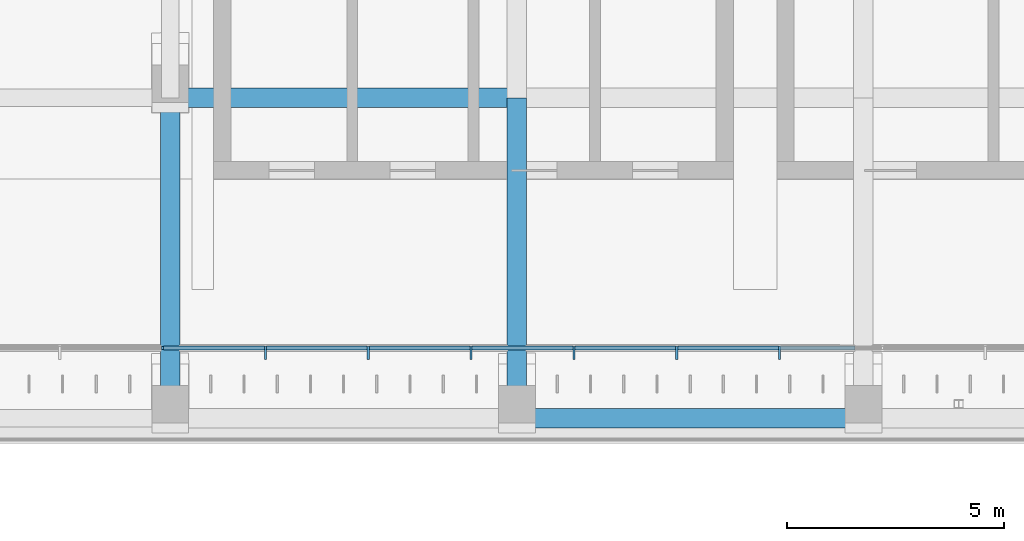
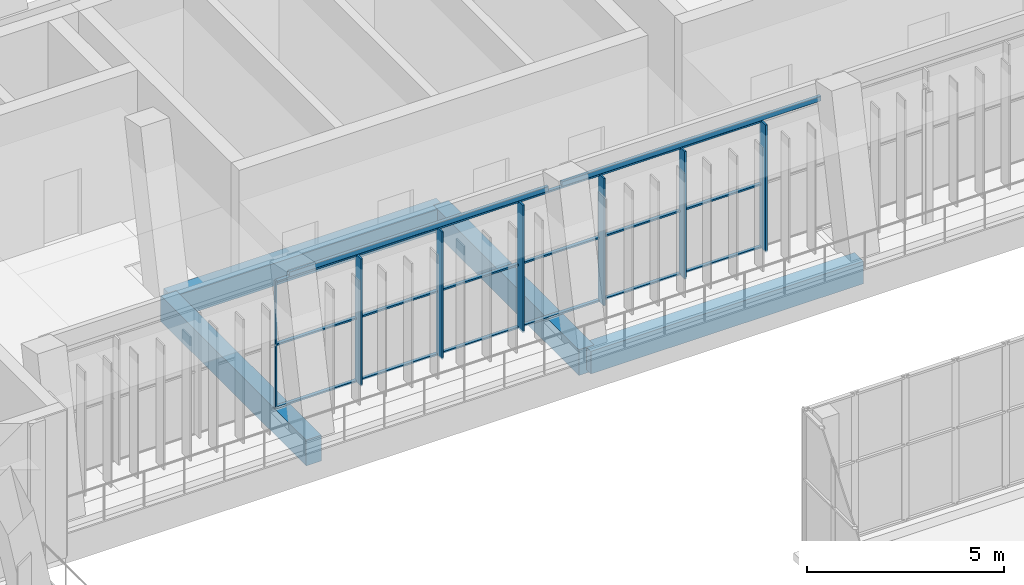
# One storey, part 34 of 92: 25 members, 6 beams, 1 element without a shape of its own.
"""IFC4 building model written with IfcOpenShell, lengths in metres."""

from ifc_helpers import new_model, si_unit, direction, frame, origin, origin_2d, place, context, subcontext, project, spatial, rectangle, hollow_rectangle, extrude, material, material_profile, profile_set, type_object, element, aggregate, save


model = new_model("IFC4")

# Units and contexts
model_context = context("Model", 3, precision=1e-05, world=origin(), true_north=direction((0.0, 1.0)))
body_context = subcontext(model_context, "Body", "Model", "MODEL_VIEW")
ifc_project = project(units=[si_unit("LENGTHUNIT", "METRE"), si_unit("AREAUNIT", "SQUARE_METRE"), si_unit("VOLUMEUNIT", "CUBIC_METRE"), si_unit("PLANEANGLEUNIT", "RADIAN"), si_unit("MASSUNIT", "GRAM", prefix="KILO")], contexts=[model_context])

# Site, building, storey
site_placement = place(None, origin())
site = spatial("IfcSite", under=ifc_project, at=site_placement, CompositionType="ELEMENT")
building_placement = place(site_placement, origin())
building = spatial("IfcBuilding", under=site, at=building_placement, Name="Lantern Court Media Centre", CompositionType="ELEMENT")
storey_placement = place(building_placement, frame((0.0, 0.0, 4.800048828125)))
storey = spatial("IfcBuildingStorey", under=building, at=storey_placement, Name="L01", CompositionType="ELEMENT", Elevation=4.800048828125)

# Curtain wall, members
ifc_material_1 = material(Name="Curtain wall bay 2400")
curtain_wall_type = type_object("IfcCurtainWallType", Name="Curtain wall bay 2400", PredefinedType="NOTDEFINED", material=ifc_material_1)
curtain_wall_placement = place(storey_placement, origin())
curtain_wall = element("IfcCurtainWall", 1, at=curtain_wall_placement, inside=storey, type_object=curtain_wall_type, Name="Curtain wall N inner L01", PredefinedType="NOTDEFINED")
ifc_material_2 = material(Name="Anodised aluminium", Category="aluminium")
ifc_material_profile_1 = material_profile(ifc_material_2, rectangle(XDim=0.300048828125, YDim=0.050048828125, at=origin_2d()), Name="AL 50x300")
ifc_profile_set_1 = profile_set([ifc_material_profile_1], Name="Anodised aluminium")
member_type_1 = type_object("IfcMemberType", Name="Curtain wall mullion 50x300", PredefinedType="MULLION", material=ifc_profile_set_1)
member_1_placement = place(storey_placement, frame((34.195556640625, 99.030029296875, 0.0), z_axis=(0.0, 0.0, 1.0), x_axis=(0.0, 1.0, 0.0)))
member_1 = element("IfcMember", 2, at=member_1_placement, type_object=member_type_1, Name="CW2 mullion 5", PredefinedType="MULLION", context=body_context, shape_type="SweptSolid", body=[
    extrude(rectangle(XDim=0.300048828125, YDim=0.050048828125, at=origin_2d()), origin(), (0.0, 0.0, 1.0), 3.949951171875),
])
member_2_placement = place(storey_placement, frame((36.569580078125, 99.030029296875, 0.0), z_axis=(0.0, 0.0, 1.0), x_axis=(0.0, 1.0, 0.0)))
member_2 = element("IfcMember", 3, at=member_2_placement, type_object=member_type_1, Name="CW2 mullion 6", PredefinedType="MULLION", context=body_context, shape_type="SweptSolid", body=[
    extrude(rectangle(XDim=0.300048828125, YDim=0.050048828125, at=origin_2d()), origin(), (0.0, 0.0, 1.0), 3.949951171875),
])
member_3_placement = place(storey_placement, frame((38.943359375, 99.030029296875, 0.0), z_axis=(0.0, 0.0, 1.0), x_axis=(0.0, 1.0, 0.0)))
member_3 = element("IfcMember", 4, at=member_3_placement, type_object=member_type_1, Name="CW2 mullion 7", PredefinedType="MULLION", context=body_context, shape_type="SweptSolid", body=[
    extrude(rectangle(XDim=0.300048828125, YDim=0.050048828125, at=origin_2d()), origin(), (0.0, 0.0, 1.0), 3.949951171875),
])
member_4_placement = place(storey_placement, frame((41.3173828125, 99.030029296875, 0.0), z_axis=(0.0, 0.0, 1.0), x_axis=(0.0, 1.0, 0.0)))
member_4 = element("IfcMember", 5, at=member_4_placement, type_object=member_type_1, Name="CW2 mullion 8", PredefinedType="MULLION", context=body_context, shape_type="SweptSolid", body=[
    extrude(rectangle(XDim=0.300048828125, YDim=0.050048828125, at=origin_2d()), origin(), (0.0, 0.0, 1.0), 3.949951171875),
])
member_5_placement = place(storey_placement, frame((43.69140625, 99.030029296875, 0.0), z_axis=(0.0, 0.0, 1.0), x_axis=(0.0, 1.0, 0.0)))
member_5 = element("IfcMember", 6, at=member_5_placement, type_object=member_type_1, Name="CW2 mullion 9", PredefinedType="MULLION", context=body_context, shape_type="SweptSolid", body=[
    extrude(rectangle(XDim=0.300048828125, YDim=0.050048828125, at=origin_2d()), origin(), (0.0, 0.0, 1.0), 3.949951171875),
])
member_6_placement = place(storey_placement, frame((46.065185546875, 99.030029296875, 0.0), z_axis=(0.0, 0.0, 1.0), x_axis=(0.0, 1.0, 0.0)))
member_6 = element("IfcMember", 7, at=member_6_placement, type_object=member_type_1, Name="CW2 mullion 10", PredefinedType="MULLION", context=body_context, shape_type="SweptSolid", body=[
    extrude(rectangle(XDim=0.300048828125, YDim=0.050048828125, at=origin_2d()), origin(), (0.0, 0.0, 1.0), 3.949951171875),
])
ifc_material_profile_2 = material_profile(ifc_material_2, rectangle(XDim=0.06005859375, YDim=0.050048828125, at=origin_2d()), Name="AL 50x60")
ifc_profile_set_2 = profile_set([ifc_material_profile_2], Name="Anodised aluminium")
member_type_2 = type_object("IfcMemberType", Name="Curtain wall mullion 50x60", PredefinedType="MULLION", material=ifc_profile_set_2)
member_7_placement = place(storey_placement, frame((31.82177734375, 99.14990234375, 0.0), z_axis=(0.0, 0.0, 1.0), x_axis=(0.0, 1.0, 0.0)))
member_7 = element("IfcMember", 8, at=member_7_placement, type_object=member_type_2, Name="CW2 mullion 4", PredefinedType="MULLION", context=body_context, shape_type="SweptSolid", body=[
    extrude(rectangle(XDim=0.06005859375, YDim=0.050048828125, at=origin_2d()), origin(), (0.0, 0.0, 1.0), 3.949951171875),
])
ifc_material_profile_3 = material_profile(ifc_material_2, rectangle(XDim=0.10009765625, YDim=0.050048828125, at=origin_2d()), Name="AL 50x100")
ifc_profile_set_3 = profile_set([ifc_material_profile_3], Name="Anodised aluminium")
member_type_3 = type_object("IfcMemberType", Name="Curtain wall transom 100x50", PredefinedType="USERDEFINED", material=ifc_profile_set_3)
member_8_placement = place(storey_placement, frame((31.8466796875, 99.14990234375, 0.02490234375), z_axis=(1.0, 0.0, 0.0), x_axis=(0.0, 1.0, 0.0)))
member_8 = element("IfcMember", 9, at=member_8_placement, type_object=member_type_3, Name="CW2 transom 4.1", ObjectType="TRANSOM", PredefinedType="USERDEFINED", context=body_context, shape_type="SweptSolid", body=[
    extrude(rectangle(XDim=0.10009765625, YDim=0.050048828125, at=origin_2d()), origin(), (0.0, 0.0, 1.0), 2.323974609375),
])
member_9_placement = place(storey_placement, frame((31.8466796875, 99.14990234375, 1.974853515625), z_axis=(1.0, 0.0, 0.0), x_axis=(0.0, 1.0, 0.0)))
member_9 = element("IfcMember", 10, at=member_9_placement, type_object=member_type_3, Name="CW2 transom 4.2", ObjectType="TRANSOM", PredefinedType="USERDEFINED", context=body_context, shape_type="SweptSolid", body=[
    extrude(rectangle(XDim=0.10009765625, YDim=0.050048828125, at=origin_2d()), origin(), (0.0, 0.0, 1.0), 2.323974609375),
])
member_10_placement = place(storey_placement, frame((31.8466796875, 99.14990234375, 3.925048828125), z_axis=(1.0, 0.0, 0.0), x_axis=(0.0, 1.0, 0.0)))
member_10 = element("IfcMember", 11, at=member_10_placement, type_object=member_type_3, Name="CW2 transom 4.3", ObjectType="TRANSOM", PredefinedType="USERDEFINED", context=body_context, shape_type="SweptSolid", body=[
    extrude(rectangle(XDim=0.10009765625, YDim=0.050048828125, at=origin_2d()), origin(), (0.0, 0.0, 1.0), 2.323974609375),
])
member_11_placement = place(storey_placement, frame((34.220703125, 99.14990234375, 0.02490234375), z_axis=(1.0, 0.0, 0.0), x_axis=(0.0, 1.0, 0.0)))
member_11 = element("IfcMember", 12, at=member_11_placement, type_object=member_type_3, Name="CW2 transom 5.1", ObjectType="TRANSOM", PredefinedType="USERDEFINED", context=body_context, shape_type="SweptSolid", body=[
    extrude(rectangle(XDim=0.10009765625, YDim=0.050048828125, at=origin_2d()), origin(), (0.0, 0.0, 1.0), 2.323974609375),
])
member_12_placement = place(storey_placement, frame((34.220703125, 99.14990234375, 1.974853515625), z_axis=(1.0, 0.0, 0.0), x_axis=(0.0, 1.0, 0.0)))
member_12 = element("IfcMember", 13, at=member_12_placement, type_object=member_type_3, Name="CW2 transom 5.2", ObjectType="TRANSOM", PredefinedType="USERDEFINED", context=body_context, shape_type="SweptSolid", body=[
    extrude(rectangle(XDim=0.10009765625, YDim=0.050048828125, at=origin_2d()), origin(), (0.0, 0.0, 1.0), 2.323974609375),
])
member_13_placement = place(storey_placement, frame((34.220703125, 99.14990234375, 3.925048828125), z_axis=(1.0, 0.0, 0.0), x_axis=(0.0, 1.0, 0.0)))
member_13 = element("IfcMember", 14, at=member_13_placement, type_object=member_type_3, Name="CW2 transom 5.3", ObjectType="TRANSOM", PredefinedType="USERDEFINED", context=body_context, shape_type="SweptSolid", body=[
    extrude(rectangle(XDim=0.10009765625, YDim=0.050048828125, at=origin_2d()), origin(), (0.0, 0.0, 1.0), 2.323974609375),
])
member_14_placement = place(storey_placement, frame((36.594482421875, 99.14990234375, 0.02490234375), z_axis=(1.0, 0.0, 0.0), x_axis=(0.0, 1.0, 0.0)))
member_14 = element("IfcMember", 15, at=member_14_placement, type_object=member_type_3, Name="CW2 transom 6.1", ObjectType="TRANSOM", PredefinedType="USERDEFINED", context=body_context, shape_type="SweptSolid", body=[
    extrude(rectangle(XDim=0.10009765625, YDim=0.050048828125, at=origin_2d()), origin(), (0.0, 0.0, 1.0), 2.323974609375),
])
member_15_placement = place(storey_placement, frame((36.594482421875, 99.14990234375, 1.974853515625), z_axis=(1.0, 0.0, 0.0), x_axis=(0.0, 1.0, 0.0)))
member_15 = element("IfcMember", 16, at=member_15_placement, type_object=member_type_3, Name="CW2 transom 6.2", ObjectType="TRANSOM", PredefinedType="USERDEFINED", context=body_context, shape_type="SweptSolid", body=[
    extrude(rectangle(XDim=0.10009765625, YDim=0.050048828125, at=origin_2d()), origin(), (0.0, 0.0, 1.0), 2.323974609375),
])
member_16_placement = place(storey_placement, frame((36.594482421875, 99.14990234375, 3.925048828125), z_axis=(1.0, 0.0, 0.0), x_axis=(0.0, 1.0, 0.0)))
member_16 = element("IfcMember", 17, at=member_16_placement, type_object=member_type_3, Name="CW2 transom 6.3", ObjectType="TRANSOM", PredefinedType="USERDEFINED", context=body_context, shape_type="SweptSolid", body=[
    extrude(rectangle(XDim=0.10009765625, YDim=0.050048828125, at=origin_2d()), origin(), (0.0, 0.0, 1.0), 2.323974609375),
])
member_17_placement = place(storey_placement, frame((38.968505859375, 99.14990234375, 0.02490234375), z_axis=(1.0, 0.0, 0.0), x_axis=(0.0, 1.0, 0.0)))
member_17 = element("IfcMember", 18, at=member_17_placement, type_object=member_type_3, Name="CW2 transom 7.1", ObjectType="TRANSOM", PredefinedType="USERDEFINED", context=body_context, shape_type="SweptSolid", body=[
    extrude(rectangle(XDim=0.10009765625, YDim=0.050048828125, at=origin_2d()), origin(), (0.0, 0.0, 1.0), 2.323974609375),
])
member_18_placement = place(storey_placement, frame((38.968505859375, 99.14990234375, 1.974853515625), z_axis=(1.0, 0.0, 0.0), x_axis=(0.0, 1.0, 0.0)))
member_18 = element("IfcMember", 19, at=member_18_placement, type_object=member_type_3, Name="CW2 transom 7.2", ObjectType="TRANSOM", PredefinedType="USERDEFINED", context=body_context, shape_type="SweptSolid", body=[
    extrude(rectangle(XDim=0.10009765625, YDim=0.050048828125, at=origin_2d()), origin(), (0.0, 0.0, 1.0), 2.323974609375),
])
member_19_placement = place(storey_placement, frame((38.968505859375, 99.14990234375, 3.925048828125), z_axis=(1.0, 0.0, 0.0), x_axis=(0.0, 1.0, 0.0)))
member_19 = element("IfcMember", 20, at=member_19_placement, type_object=member_type_3, Name="CW2 transom 7.3", ObjectType="TRANSOM", PredefinedType="USERDEFINED", context=body_context, shape_type="SweptSolid", body=[
    extrude(rectangle(XDim=0.10009765625, YDim=0.050048828125, at=origin_2d()), origin(), (0.0, 0.0, 1.0), 2.323974609375),
])
member_20_placement = place(storey_placement, frame((41.34228515625, 99.14990234375, 0.02490234375), z_axis=(1.0, 0.0, 0.0), x_axis=(0.0, 1.0, 0.0)))
member_20 = element("IfcMember", 21, at=member_20_placement, type_object=member_type_3, Name="CW2 transom 8.1", ObjectType="TRANSOM", PredefinedType="USERDEFINED", context=body_context, shape_type="SweptSolid", body=[
    extrude(rectangle(XDim=0.10009765625, YDim=0.050048828125, at=origin_2d()), origin(), (0.0, 0.0, 1.0), 2.323974609375),
])
member_21_placement = place(storey_placement, frame((41.34228515625, 99.14990234375, 1.974853515625), z_axis=(1.0, 0.0, 0.0), x_axis=(0.0, 1.0, 0.0)))
member_21 = element("IfcMember", 22, at=member_21_placement, type_object=member_type_3, Name="CW2 transom 8.2", ObjectType="TRANSOM", PredefinedType="USERDEFINED", context=body_context, shape_type="SweptSolid", body=[
    extrude(rectangle(XDim=0.10009765625, YDim=0.050048828125, at=origin_2d()), origin(), (0.0, 0.0, 1.0), 2.323974609375),
])
member_22_placement = place(storey_placement, frame((41.34228515625, 99.14990234375, 3.925048828125), z_axis=(1.0, 0.0, 0.0), x_axis=(0.0, 1.0, 0.0)))
member_22 = element("IfcMember", 23, at=member_22_placement, type_object=member_type_3, Name="CW2 transom 8.3", ObjectType="TRANSOM", PredefinedType="USERDEFINED", context=body_context, shape_type="SweptSolid", body=[
    extrude(rectangle(XDim=0.10009765625, YDim=0.050048828125, at=origin_2d()), origin(), (0.0, 0.0, 1.0), 2.323974609375),
])
member_23_placement = place(storey_placement, frame((43.71630859375, 99.14990234375, 0.02490234375), z_axis=(1.0, 0.0, 0.0), x_axis=(0.0, 1.0, 0.0)))
member_23 = element("IfcMember", 24, at=member_23_placement, type_object=member_type_3, Name="CW2 transom 9.1", ObjectType="TRANSOM", PredefinedType="USERDEFINED", context=body_context, shape_type="SweptSolid", body=[
    extrude(rectangle(XDim=0.10009765625, YDim=0.050048828125, at=origin_2d()), origin(), (0.0, 0.0, 1.0), 2.323974609375),
])
member_24_placement = place(storey_placement, frame((43.71630859375, 99.14990234375, 1.974853515625), z_axis=(1.0, 0.0, 0.0), x_axis=(0.0, 1.0, 0.0)))
member_24 = element("IfcMember", 25, at=member_24_placement, type_object=member_type_3, Name="CW2 transom 9.2", ObjectType="TRANSOM", PredefinedType="USERDEFINED", context=body_context, shape_type="SweptSolid", body=[
    extrude(rectangle(XDim=0.10009765625, YDim=0.050048828125, at=origin_2d()), origin(), (0.0, 0.0, 1.0), 2.323974609375),
])
member_25_placement = place(storey_placement, frame((43.71630859375, 99.14990234375, 3.925048828125), z_axis=(1.0, 0.0, 0.0), x_axis=(0.0, 1.0, 0.0)))
member_25 = element("IfcMember", 26, at=member_25_placement, type_object=member_type_3, Name="CW2 transom 9.3", ObjectType="TRANSOM", PredefinedType="USERDEFINED", context=body_context, shape_type="SweptSolid", body=[
    extrude(rectangle(XDim=0.10009765625, YDim=0.050048828125, at=origin_2d()), origin(), (0.0, 0.0, 1.0), 2.323974609375),
])
aggregate(curtain_wall, [member_7, member_1, member_2, member_3, member_4, member_5, member_6, member_8, member_9, member_10, member_11, member_12, member_13, member_14, member_15, member_16, member_17, member_18, member_19, member_20, member_21, member_22, member_23, member_24, member_25])

# Beams
ifc_material_3 = material(Name="Steel S355J2 (EN 10025-2)", Category="steel")
ifc_material_profile_4 = material_profile(ifc_material_3, hollow_rectangle(XDim=0.10009765625, YDim=0.14990234375, WallThickness=0.00634765625, InnerFilletRadius=0.00634765625, OuterFilletRadius=0.009521484375, at=origin_2d()), Name="Facade head lintel RHS 150x100x6.3")
ifc_profile_set_4 = profile_set([ifc_material_profile_4], Name="Steel S355J2 (EN 10025-2)")
beam_type_1 = type_object("IfcBeamType", Name="Facade head lintel RHS 150x100x6.3", PredefinedType="BEAM", material=ifc_profile_set_4)
for number, where, z_axis, x_axis, name in (
    (27, (32.199951171875, 99.14990234375, 4.02490234375), (1.0, 0.0, 0.0), (0.0, 1.0, 0.0), "Facade head lintel N L01"),
    (28, (40.199951171875, 99.14990234375, 4.02490234375), (1.0, 0.0, 0.0), (0.0, 1.0, 0.0), "Facade head lintel N L01"),
):
    element("IfcBeam", number, at=place(storey_placement, frame(where, z_axis=z_axis, x_axis=x_axis)), inside=storey, type_object=beam_type_1, Name=name, PredefinedType="BEAM", context=body_context, shape_type="SweptSolid", body=[
        extrude(hollow_rectangle(XDim=0.10009765625, YDim=0.14990234375, WallThickness=0.00634765625, InnerFilletRadius=0.00634765625, OuterFilletRadius=0.009521484375, at=origin_2d()), origin(), (0.0, 0.0, 1.0), 7.60009765625),
    ])
ifc_material_4 = material(Name="Concrete C35", Category="concrete")
ifc_material_profile_5 = material_profile(ifc_material_4, rectangle(XDim=0.449951171875, YDim=0.699951171875, at=origin_2d()), Name="RC 450x700")
ifc_profile_set_5 = profile_set([ifc_material_profile_5], Name="Concrete C35")
beam_type_2 = type_object("IfcBeamType", Name="RC BEAM 450x700", PredefinedType="BEAM", material=ifc_profile_set_5)
for number, where, z_axis, x_axis, name in (
    (29, (40.0, 97.527099609375, -0.35009765625), (1.0, 0.0, 0.0), (0.0, 1.0, 0.0), "LB-N-L01-0-2"),
    (30, (32.0, 104.927001953125, -0.35009765625), (1.0, 0.0, 0.0), (0.0, 1.0, 0.0), "LB-N-L01-1-1"),
):
    element("IfcBeam", number, at=place(storey_placement, frame(where, z_axis=z_axis, x_axis=x_axis)), inside=storey, type_object=beam_type_2, Name=name, PredefinedType="BEAM", context=body_context, shape_type="SweptSolid", body=[
        extrude(rectangle(XDim=0.449951171875, YDim=0.699951171875, at=origin_2d()), origin(), (0.0, 0.0, 1.0), 8.0),
    ])
ifc_material_profile_6 = material_profile(ifc_material_4, rectangle(XDim=0.449951171875, YDim=0.800048828125, at=origin_2d()), Name="RC 450x800")
ifc_profile_set_6 = profile_set([ifc_material_profile_6], Name="Concrete C35")
beam_type_3 = type_object("IfcBeamType", Name="RC BEAM 450x800", PredefinedType="BEAM", material=ifc_profile_set_6)
for number, where, z_axis, x_axis, name in (
    (31, (32.0, 97.5166015625, -0.400146484375), (0.0, 1.0, 0.0), (-1.0, 0.0, 0.0), "TB-N-L01-1-1"),
    (32, (40.0, 97.5166015625, -0.400146484375), (0.0, 1.0, 0.0), (-1.0, 0.0, 0.0), "TB-N-L01-2-1"),
):
    element("IfcBeam", number, at=place(storey_placement, frame(where, z_axis=z_axis, x_axis=x_axis)), inside=storey, type_object=beam_type_3, Name=name, PredefinedType="BEAM", context=body_context, shape_type="SweptSolid", body=[
        extrude(rectangle(XDim=0.449951171875, YDim=0.800048828125, at=origin_2d()), origin(), (0.0, 0.0, 1.0), 7.400146484375),
    ])

save(model, "model.ifc")
